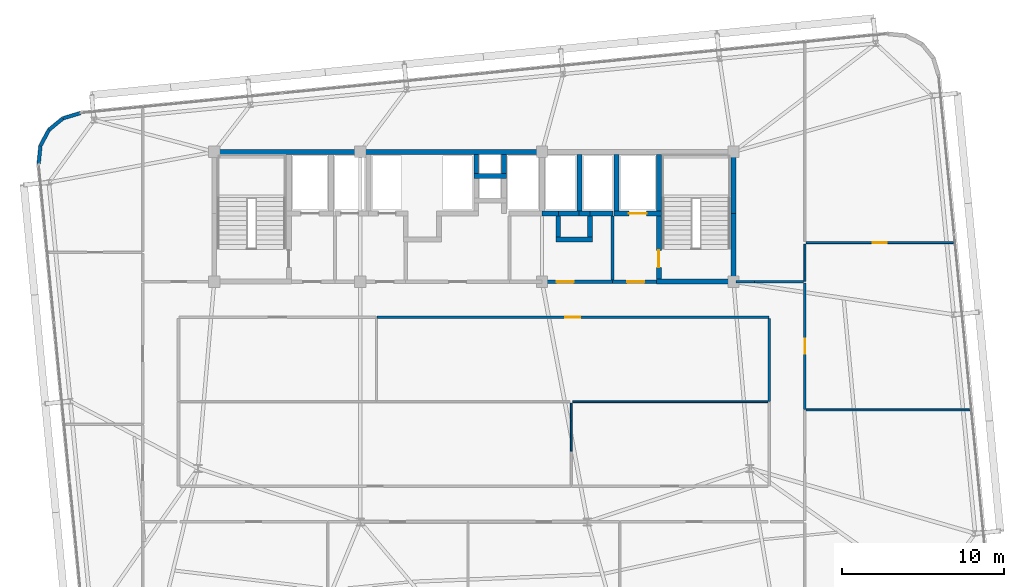
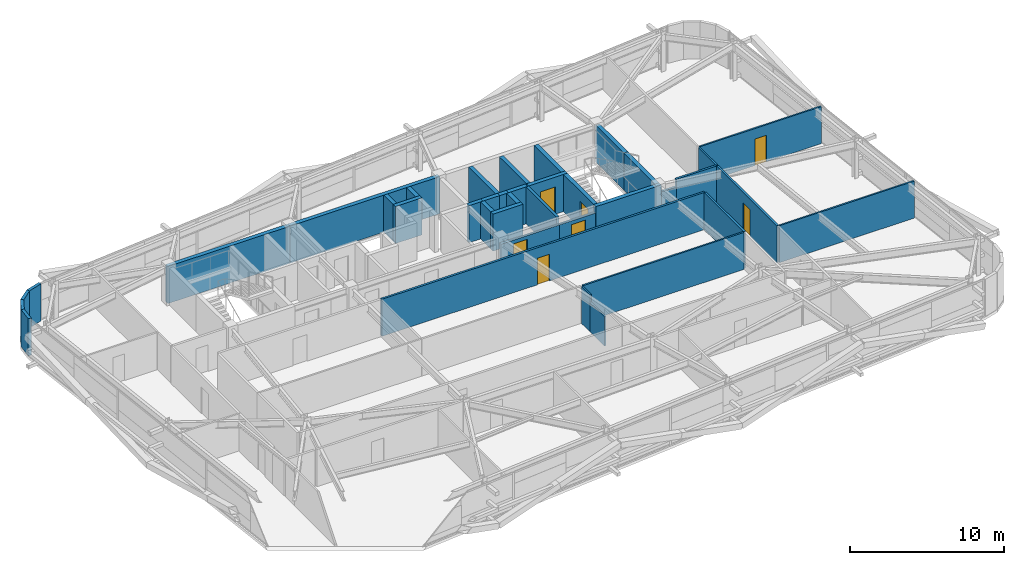
# One storey, part 43 of 47: 38 walls, 7 doors, 7 openings.
"""IFC4 building model written with IfcOpenShell, lengths in metres."""

from ifc_helpers import new_model, si_unit, direction, frame, frame_2d, origin, place, context, subcontext, project, spatial, rectangle, extrude, source, transform, mapped, material, layer, layer_set, type_object, element, fill, save


model = new_model("IFC4")

# Units and contexts
model_context = context("Model", 3, precision=1e-05, world=origin(), true_north=direction((0.0, 1.0)))
body_context = subcontext(model_context, "Body", "Model", "MODEL_VIEW")
ifc_project = project(units=[si_unit("LENGTHUNIT", "METRE"), si_unit("AREAUNIT", "SQUARE_METRE"), si_unit("VOLUMEUNIT", "CUBIC_METRE"), si_unit("PLANEANGLEUNIT", "RADIAN"), si_unit("MASSUNIT", "GRAM", prefix="KILO")], contexts=[model_context])

# Site, building, storey
site_placement = place(None, origin())
site = spatial("IfcSite", under=ifc_project, at=site_placement, CompositionType="ELEMENT")
building_placement = place(site_placement, origin())
building = spatial("IfcBuilding", under=site, at=building_placement, Name="Taldren Reach Tower", CompositionType="ELEMENT")
storey_placement = place(building_placement, frame((0.0, 0.0, 90.300048828125)))
storey = spatial("IfcBuildingStorey", under=building, at=storey_placement, Name="L27", CompositionType="ELEMENT", Elevation=90.300048828125)

# Walls
ifc_material_1 = material(Name="Pale Champagne Anodised Aluminium Cladding", Category="aluminium")
ifc_layer_1 = layer(ifc_material_1, 0.04, Name="Pale Champagne Anodised Aluminium Cladding", Category="aluminium")
ifc_material_2 = material(Name="Mineral Wool Acoustic Insulation", Category="insulation")
ifc_layer_2 = layer(ifc_material_2, 0.06, Name="Mineral Wool Acoustic Insulation", Category="insulation")
ifc_material_3 = material(Name="Steel Gr 350 (C350L0)", Category="steel")
ifc_layer_3 = layer(ifc_material_3, 0.12, Name="Steel Gr 350 (C350L0)", Category="steel")
ifc_layer_set_1 = layer_set([ifc_layer_1, ifc_layer_2, ifc_layer_3], Name="Pale Champagne Aluminium Cladding and Steel Gr 350 Stud Framing")
wall_type_1 = type_object("IfcWallType", Name="EW-CRN-220", PredefinedType="SOLIDWALL", material=ifc_layer_set_1)
shared_shape_1 = source(origin(), body_context, "Body", "SweptSolid", [
    extrude(rectangle(XDim=1.115966796875, YDim=0.219970703125, at=frame_2d((0.55810546875, 0.0))), origin(), (0.0, 0.0, 1.0), 2.929931640625),
])
wall_1_placement = place(storey_placement, frame((10.7509765625, 34.386474609375, 0.0), z_axis=(0.0, 0.0, 1.0), x_axis=(-0.957070388811, -0.289855603468, 0.0)))
element("IfcWall", 1, at=wall_1_placement, inside=storey, type_object=wall_type_1, Name="Rounded-corner pale-metal facade wall L27-NW1", PredefinedType="SOLIDWALL", context=body_context, shape_type="MappedRepresentation", body=[
    mapped(shared_shape_1, transform((0.0, 0.0, 0.0), scale=1.0)),
])
shared_shape_2 = source(origin(), body_context, "Body", "SweptSolid", [
    extrude(rectangle(XDim=1.11572265625, YDim=0.219970703125, at=frame_2d((0.557861328125, 0.0))), origin(), (0.0, 0.0, 1.0), 2.929931640625),
])
for number, where, z_axis, x_axis, name in (
    (2, (9.682861328125, 34.06298828125, 0.0), (0.0, 0.0, 1.0), (-0.773254916409, -0.634095287989, 0.0), "Rounded-corner pale-metal facade wall L27-NW2"),
    (3, (8.29345703125, 32.371337890625, 0.0), (0.0, 0.0, 1.0), (-0.098463783145, -0.99514063499, 0.0), "Rounded-corner pale-metal facade wall L27-NW4"),
):
    element("IfcWall", number, at=place(storey_placement, frame(where, z_axis=z_axis, x_axis=x_axis)), inside=storey, type_object=wall_type_1, Name=name, PredefinedType="SOLIDWALL", context=body_context, shape_type="MappedRepresentation", body=[
        mapped(shared_shape_2, transform((0.0, 0.0, 0.0), scale=1.0)),
    ])
shared_shape_3 = source(origin(), body_context, "Body", "SweptSolid", [
    extrude(rectangle(XDim=1.1162109375, YDim=0.219970703125, at=frame_2d((0.55810546875, 0.0))), origin(), (0.0, 0.0, 1.0), 2.929931640625),
])
wall_2_placement = place(storey_placement, frame((8.820068359375, 33.35546875, 0.0), z_axis=(0.0, 0.0, 1.0), x_axis=(-0.471802540493, -0.881704237704, 0.0)))
element("IfcWall", 4, at=wall_2_placement, inside=storey, type_object=wall_type_1, Name="Rounded-corner pale-metal facade wall L27-NW3", PredefinedType="SOLIDWALL", context=body_context, shape_type="MappedRepresentation", body=[
    mapped(shared_shape_3, transform((0.0, 0.0, 0.0), scale=1.0)),
])

# Wall, opening, door
ifc_material_4 = material(Name="Concrete S50 (50 MPa)", Category="concrete")
ifc_layer_4 = layer(ifc_material_4, 0.199951171875)
ifc_layer_set_2 = layer_set([ifc_layer_4], Name="Concrete S50 (50 MPa)")
wall_type_2 = type_object("IfcWallType", Name="IW-CORE-200", PredefinedType="SOLIDWALL", material=ifc_layer_set_2)
shared_shape_4 = source(origin(), body_context, "Body", "SweptSolid", [
    extrude(rectangle(XDim=4.35009765625, YDim=0.199951171875, at=frame_2d((2.175048828125, 0.0))), origin(), (0.0, 0.0, 1.0), 2.39697265625),
])
wall_3_placement = place(storey_placement, frame((43.550048828125, 24.0, 0.0), z_axis=(0.0, 0.0, 1.0), x_axis=(-1.0, 0.0, 0.0)))
wall_3 = element("IfcWall", 5, at=wall_3_placement, inside=storey, type_object=wall_type_2, Name="Rear Core Shear Wall W-INT-L27-044", PredefinedType="SOLIDWALL", context=body_context, shape_type="MappedRepresentation", body=[
    mapped(shared_shape_4, transform((0.0, 0.0, 0.0), scale=1.0)),
])
shared_shape_5 = source(origin(), body_context, "Body", "SweptSolid", [
    extrude(rectangle(XDim=1.050048828125, YDim=2.10009765625, at=frame_2d((0.52490234375, 1.050048828125))), frame((0.0, 0.10986328125, 0.0), z_axis=(0.0, -1.0, 0.0), x_axis=(1.0, 0.0, 0.0)), (0.0, 0.0, 1.0), 0.219970703125),
])
opening_1_placement = place(wall_3_placement, frame((2.39990234375, 0.0, 0.0)))
opening_1 = element("IfcOpeningElement", 6, at=opening_1_placement, cuts=wall_3, Name="Opening DF-105", PredefinedType="OPENING", context=body_context, shape_type="MappedRepresentation", body=[
    mapped(shared_shape_5, transform((0.0, 0.0, 0.0), scale=1.0)),
])
ifc_material_5 = material(Name="Fire-Rated Care and Stair Exit Door")
door_type_1 = type_object("IfcDoorType", Name="ID-FIRE-105", OperationType="NOTDEFINED", PredefinedType="DOOR", material=ifc_material_5)
shared_shape_6 = source(origin(), body_context, "Body", "SweptSolid", [
    extrude(rectangle(XDim=1.050048828125, YDim=2.10009765625, at=frame_2d((0.52490234375, 1.050048828125))), frame((0.0, 0.02490234375, 0.0), z_axis=(0.0, -1.0, 0.0), x_axis=(1.0, 0.0, 0.0)), (0.0, 0.0, 1.0), 0.050048828125),
])
door_1_placement = place(opening_1_placement, frame((1.050048828125, 0.0, 0.0), z_axis=(0.0, 0.0, 1.0), x_axis=(-1.0, 0.0, 0.0)))
door_1 = element("IfcDoor", 7, at=door_1_placement, inside=storey, type_object=door_type_1, Name="Interior Door DR-L27-007", OperationType="SINGLE_SWING_RIGHT", OverallHeight=2.10009765625, OverallWidth=1.050048828125, PredefinedType="DOOR", context=body_context, shape_type="MappedRepresentation", body=[
    mapped(shared_shape_6, transform((0.0, 0.0, 0.0), scale=1.0)),
])
fill(opening_1, door_1)

# Wall
ifc_material_6 = material(Name="Fire-Rated Acoustic Plasterboard Stud Wall", Category="gypsum")
ifc_layer_5 = layer(ifc_material_6, 0.159912109375)
ifc_layer_set_3 = layer_set([ifc_layer_5], Name="Fire-Rated Acoustic Plasterboard Stud Wall")
wall_type_3 = type_object("IfcWallType", Name="IW-FIRE-160", PredefinedType="PARTITIONING", material=ifc_layer_set_3)
shared_shape_7 = source(origin(), body_context, "Body", "SweptSolid", [
    extrude(rectangle(XDim=5.099853515625, YDim=0.159912109375, at=frame_2d((2.5498046875, 0.0))), origin(), (0.0, 0.0, 1.0), 2.929931640625),
])
wall_4_placement = place(storey_placement, frame((53.199951171875, 16.6201171875, 0.0), z_axis=(0.0, 0.0, 1.0), x_axis=(0.0, 1.0, 0.0)))
element("IfcWall", 8, at=wall_4_placement, inside=storey, type_object=wall_type_3, Name="Interior Partition Wall W-INT-L27-050", PredefinedType="PARTITIONING", context=body_context, shape_type="MappedRepresentation", body=[
    mapped(shared_shape_7, transform((0.0, 0.0, 0.0), scale=1.0)),
])

# Wall, opening, door
shared_shape_8 = source(origin(), body_context, "Body", "SweptSolid", [
    extrude(rectangle(XDim=24.159423828125, YDim=0.159912109375, at=frame_2d((12.07958984375, 0.0))), origin(), (0.0, 0.0, 1.0), 2.929931640625),
])
wall_5_placement = place(storey_placement, frame((53.1796875, 21.800048828125, 0.0), z_axis=(0.0, 0.0, 1.0), x_axis=(-1.0, 0.0, 0.0)))
wall_5 = element("IfcWall", 9, at=wall_5_placement, inside=storey, type_object=wall_type_3, Name="Interior Partition Wall W-INT-L27-049", PredefinedType="PARTITIONING", context=body_context, shape_type="MappedRepresentation", body=[
    mapped(shared_shape_8, transform((0.0, 0.0, 0.0), scale=1.0)),
])
shared_shape_9 = source(origin(), body_context, "Body", "SweptSolid", [
    extrude(rectangle(XDim=0.919921875, YDim=2.10009765625, at=frame_2d((0.4599609375, 1.050048828125))), frame((0.0, 0.08984375, 0.0), z_axis=(0.0, -1.0, 0.0), x_axis=(1.0, 0.0, 0.0)), (0.0, 0.0, 1.0), 0.179931640625),
])
opening_2_placement = place(wall_5_placement, frame((11.619873046875, 0.0, 0.0)))
opening_2 = element("IfcOpeningElement", 10, at=opening_2_placement, cuts=wall_5, Name="Opening DI-092", PredefinedType="OPENING", context=body_context, shape_type="MappedRepresentation", body=[
    mapped(shared_shape_9, transform((0.0, 0.0, 0.0), scale=1.0)),
])
ifc_material_7 = material(Name="Solid-Core Timber Suite Door", Category="wood")
door_type_2 = type_object("IfcDoorType", Name="ID-INT-092", OperationType="NOTDEFINED", PredefinedType="DOOR", material=ifc_material_7)
shared_shape_10 = source(origin(), body_context, "Body", "SweptSolid", [
    extrude(rectangle(XDim=0.919921875, YDim=2.10009765625, at=frame_2d((0.4599609375, 1.050048828125))), frame((0.0, 0.02490234375, 0.0), z_axis=(0.0, -1.0, 0.0), x_axis=(1.0, 0.0, 0.0)), (0.0, 0.0, 1.0), 0.050048828125),
])
door_2_placement = place(opening_2_placement, origin())
door_2 = element("IfcDoor", 11, at=door_2_placement, inside=storey, type_object=door_type_2, Name="Interior Door DR-L27-009", OperationType="SINGLE_SWING_RIGHT", OverallHeight=2.10009765625, OverallWidth=0.919921875, PredefinedType="DOOR", context=body_context, shape_type="MappedRepresentation", body=[
    mapped(shared_shape_10, transform((0.0, 0.0, 0.0), scale=1.0)),
])
fill(opening_2, door_2)

# Walls
ifc_material_8 = material(Name="Insulated Residential Stud Partition", Category="gypsum")
ifc_layer_6 = layer(ifc_material_8, 0.1201171875)
ifc_layer_set_4 = layer_set([ifc_layer_6], Name="Insulated Residential Stud Partition")
wall_type_4 = type_object("IfcWallType", Name="IW-PART-120", PredefinedType="PARTITIONING", material=ifc_layer_set_4)
shared_shape_11 = source(origin(), body_context, "Body", "SweptSolid", [
    extrude(rectangle(XDim=1.10400390625, YDim=0.1201171875, at=frame_2d((0.552001953125, 0.0))), origin(), (0.0, 0.0, 1.0), 2.929931640625),
])
wall_6_placement = place(storey_placement, frame((41.0, 16.52001953125, 0.0), z_axis=(0.0, 0.0, 1.0), x_axis=(0.0, -1.0, 0.0)))
element("IfcWall", 12, at=wall_6_placement, inside=storey, type_object=wall_type_4, Name="Interior Partition Wall W-INT-L27-065", PredefinedType="PARTITIONING", context=body_context, shape_type="MappedRepresentation", body=[
    mapped(shared_shape_11, transform((0.0, 0.0, 0.0), scale=1.0)),
])
shared_shape_12 = source(origin(), body_context, "Body", "SweptSolid", [
    extrude(rectangle(XDim=1.860595703125, YDim=0.1201171875, at=frame_2d((0.93017578125, 0.0))), origin(), (0.0, 0.0, 1.0), 2.327880859375),
])
wall_7_placement = place(storey_placement, frame((41.0, 15.416015625, 0.0), z_axis=(0.0, 0.0, 1.0), x_axis=(0.0, -1.0, 0.0)))
element("IfcWall", 13, at=wall_7_placement, inside=storey, type_object=wall_type_4, Name="Interior Partition Wall W-INT-L27-065 part 2", PredefinedType="PARTITIONING", context=body_context, shape_type="MappedRepresentation", body=[
    mapped(shared_shape_12, transform((0.0, 0.0, 0.0), scale=1.0)),
])
shared_shape_13 = source(origin(), body_context, "Body", "SweptSolid", [
    extrude(rectangle(XDim=12.0400390625, YDim=0.1201171875, at=frame_2d((6.02001953125, 0.0))), origin(), (0.0, 0.0, 1.0), 2.929931640625),
])
wall_8_placement = place(storey_placement, frame((41.080078125, 16.60009765625, 0.0), z_axis=(0.0, 0.0, 1.0), x_axis=(1.0, 0.0, 0.0)))
element("IfcWall", 14, at=wall_8_placement, inside=storey, type_object=wall_type_4, Name="Interior Partition Wall W-INT-L27-068", PredefinedType="PARTITIONING", context=body_context, shape_type="MappedRepresentation", body=[
    mapped(shared_shape_13, transform((0.0, 0.0, 0.0), scale=1.0)),
])
ifc_material_9 = material(Name="Concrete S65 (65 MPa)", Category="concrete")
ifc_layer_7 = layer(ifc_material_9, 0.300048828125)
ifc_layer_set_5 = layer_set([ifc_layer_7], Name="Concrete S65 (65 MPa)")
wall_type_5 = type_object("IfcWallType", Name="IW-CORE-300", PredefinedType="SHEAR", material=ifc_layer_set_5)
shared_shape_14 = source(origin(), body_context, "Body", "SweptSolid", [
    extrude(rectangle(XDim=9.14990234375, YDim=0.300048828125, at=frame_2d((4.574951171875, 0.0))), origin(), (0.0, 0.0, 1.0), 2.929931640625),
])
wall_9_placement = place(storey_placement, frame((18.85009765625, 32.0, 0.0), z_axis=(0.0, 0.0, 1.0), x_axis=(1.0, 0.0, 0.0)))
element("IfcWall", 15, at=wall_9_placement, inside=storey, type_object=wall_type_5, Name="Rear Core Shear Wall W-CORE-L27-NORTH1", PredefinedType="SHEAR", context=body_context, shape_type="MappedRepresentation", body=[
    mapped(shared_shape_14, transform((0.0, 0.0, 0.0), scale=1.0)),
])
shared_shape_15 = source(origin(), body_context, "Body", "SweptSolid", [
    extrude(rectangle(XDim=11.199951171875, YDim=0.300048828125, at=frame_2d((5.60009765625, 0.0))), origin(), (0.0, 0.0, 1.0), 2.929931640625),
])
wall_10_placement = place(storey_placement, frame((28.0, 32.0, 0.0), z_axis=(0.0, 0.0, 1.0), x_axis=(1.0, 0.0, 0.0)))
element("IfcWall", 16, at=wall_10_placement, inside=storey, type_object=wall_type_5, Name="Rear Core Shear Wall W-CORE-L27-NORTH2", PredefinedType="SHEAR", context=body_context, shape_type="MappedRepresentation", body=[
    mapped(shared_shape_15, transform((0.0, 0.0, 0.0), scale=1.0)),
])
shared_shape_16 = source(origin(), body_context, "Body", "SweptSolid", [
    extrude(rectangle(XDim=4.050048828125, YDim=0.300048828125, at=frame_2d((2.02490234375, 0.0))), origin(), (0.0, 0.0, 1.0), 2.929931640625),
])
wall_11_placement = place(storey_placement, frame((51.0, 24.14990234375, 0.0), z_axis=(0.0, 0.0, 1.0), x_axis=(0.0, 1.0, 0.0)))
element("IfcWall", 17, at=wall_11_placement, inside=storey, type_object=wall_type_5, Name="Rear Core Shear Wall W-CORE-L27-EAST1", PredefinedType="SHEAR", context=body_context, shape_type="MappedRepresentation", body=[
    mapped(shared_shape_16, transform((0.0, 0.0, 0.0), scale=1.0)),
])
shared_shape_17 = source(origin(), body_context, "Body", "SweptSolid", [
    extrude(rectangle(XDim=3.650146484375, YDim=0.300048828125, at=frame_2d((1.8251953125, 0.0))), origin(), (0.0, 0.0, 1.0), 2.929931640625),
])
wall_12_placement = place(storey_placement, frame((51.0, 28.199951171875, 0.0), z_axis=(0.0, 0.0, 1.0), x_axis=(0.0, 1.0, 0.0)))
element("IfcWall", 18, at=wall_12_placement, inside=storey, type_object=wall_type_5, Name="Rear Core Shear Wall W-CORE-L27-EAST2", PredefinedType="SHEAR", context=body_context, shape_type="MappedRepresentation", body=[
    mapped(shared_shape_17, transform((0.0, 0.0, 0.0), scale=1.0)),
])
shared_shape_18 = source(origin(), body_context, "Body", "SweptSolid", [
    extrude(rectangle(XDim=3.5, YDim=0.300048828125, at=frame_2d((1.75, 0.0))), origin(), (0.0, 0.0, 1.0), 2.929931640625),
])
for number, where, z_axis, x_axis, name in (
    (19, (46.39990234375, 31.85009765625, 0.0), (0.0, 0.0, 1.0), (0.0, -1.0, 0.0), "Rear Core Shear Wall W-INT-L27-008"),
    (20, (43.800048828125, 31.85009765625, 0.0), (0.0, 0.0, 1.0), (0.0, -1.0, 0.0), "Rear Core Shear Wall W-INT-L27-012"),
    (21, (41.5, 28.35009765625, 0.0), (0.0, 0.0, 1.0), (0.0, 1.0, 0.0), "Rear Core Shear Wall W-INT-L27-039"),
):
    element("IfcWall", number, at=place(storey_placement, frame(where, z_axis=z_axis, x_axis=x_axis)), inside=storey, type_object=wall_type_5, Name=name, PredefinedType="SHEAR", context=body_context, shape_type="MappedRepresentation", body=[
        mapped(shared_shape_18, transform((0.0, 0.0, 0.0), scale=1.0)),
    ])

# Wall, opening, door
shared_shape_19 = source(origin(), body_context, "Body", "SweptSolid", [
    extrude(rectangle(XDim=3.900146484375, YDim=0.300048828125, at=frame_2d((1.9501953125, 0.0))), origin(), (0.0, 0.0, 1.0), 2.929931640625),
])
wall_13_placement = place(storey_placement, frame((46.39990234375, 28.050048828125, 0.0), z_axis=(0.0, 0.0, 1.0), x_axis=(0.0, -1.0, 0.0)))
wall_13 = element("IfcWall", 22, at=wall_13_placement, inside=storey, type_object=wall_type_5, Name="Rear Core Shear Wall W-INT-L27-009", PredefinedType="SHEAR", context=body_context, shape_type="MappedRepresentation", body=[
    mapped(shared_shape_19, transform((0.0, 0.0, 0.0), scale=1.0)),
])
shared_shape_20 = source(origin(), body_context, "Body", "SweptSolid", [
    extrude(rectangle(XDim=1.050048828125, YDim=2.10009765625, at=frame_2d((0.52490234375, 1.050048828125))), frame((0.0, 0.16015625, 0.0), z_axis=(0.0, -1.0, 0.0), x_axis=(1.0, 0.0, 0.0)), (0.0, 0.0, 1.0), 0.320068359375),
])
opening_3_placement = place(wall_13_placement, frame((2.125, 0.0, 0.0)))
opening_3 = element("IfcOpeningElement", 23, at=opening_3_placement, cuts=wall_13, Name="Opening DF-105", PredefinedType="OPENING", context=body_context, shape_type="MappedRepresentation", body=[
    mapped(shared_shape_20, transform((0.0, 0.0, 0.0), scale=1.0)),
])
door_3_placement = place(opening_3_placement, origin())
door_3 = element("IfcDoor", 24, at=door_3_placement, inside=storey, type_object=door_type_1, Name="Fire Exit Stair Door DR-L27-003", OperationType="SINGLE_SWING_RIGHT", OverallHeight=2.10009765625, OverallWidth=1.050048828125, PredefinedType="DOOR", context=body_context, shape_type="MappedRepresentation", body=[
    mapped(shared_shape_6, transform((0.0, 0.0, 0.0), scale=1.0)),
])
fill(opening_3, door_3)

# Wall
shared_shape_21 = source(origin(), body_context, "Body", "SweptSolid", [
    extrude(rectangle(XDim=4.89990234375, YDim=0.300048828125, at=frame_2d((2.449951171875, 0.0))), origin(), (0.0, 0.0, 1.0), 2.929931640625),
])
wall_14_placement = place(storey_placement, frame((46.25, 24.0, 0.0), z_axis=(0.0, 0.0, 1.0), x_axis=(1.0, 0.0, 0.0)))
element("IfcWall", 25, at=wall_14_placement, inside=storey, type_object=wall_type_5, Name="Rear Core Shear Wall W-INT-L27-010", PredefinedType="SHEAR", context=body_context, shape_type="MappedRepresentation", body=[
    mapped(shared_shape_21, transform((0.0, 0.0, 0.0), scale=1.0)),
])

# Wall, opening, door
shared_shape_22 = source(origin(), body_context, "Body", "SweptSolid", [
    extrude(rectangle(XDim=2.900146484375, YDim=0.300048828125, at=frame_2d((1.4501953125, 0.0))), origin(), (0.0, 0.0, 1.0), 2.929931640625),
])
wall_15_placement = place(storey_placement, frame((43.64990234375, 28.199951171875, 0.0), z_axis=(0.0, 0.0, 1.0), x_axis=(1.0, 0.0, 0.0)))
wall_15 = element("IfcWall", 26, at=wall_15_placement, inside=storey, type_object=wall_type_5, Name="Rear Core Shear Wall W-INT-L27-011", PredefinedType="SHEAR", context=body_context, shape_type="MappedRepresentation", body=[
    mapped(shared_shape_22, transform((0.0, 0.0, 0.0), scale=1.0)),
])
shared_shape_23 = source(origin(), body_context, "Body", "SweptSolid", [
    extrude(rectangle(XDim=1.10009765625, YDim=2.14990234375, at=frame_2d((0.550048828125, 1.074951171875))), frame((0.0, 0.16015625, 0.0), z_axis=(0.0, -1.0, 0.0), x_axis=(1.0, 0.0, 0.0)), (0.0, 0.0, 1.0), 0.320068359375),
])
opening_4_placement = place(wall_15_placement, frame((0.89990234375, 0.0, 0.0)))
opening_4 = element("IfcOpeningElement", 27, at=opening_4_placement, cuts=wall_15, Name="Opening LD-FL2", PredefinedType="OPENING", context=body_context, shape_type="MappedRepresentation", body=[
    mapped(shared_shape_23, transform((0.0, 0.0, 0.0), scale=1.0)),
])
ifc_material_10 = material(Name="Stainless Steel Gr 316 Emergency Lift Landing Door", Category="steel")
door_type_3 = type_object("IfcDoorType", Name="LD-EMG-110", OperationType="SLIDING_TO_LEFT", PredefinedType="DOOR", material=ifc_material_10)
shared_shape_24 = source(origin(), body_context, "Body", "SweptSolid", [
    extrude(rectangle(XDim=1.10009765625, YDim=2.14990234375, at=frame_2d((0.550048828125, 1.074951171875))), frame((0.0, 0.02490234375, 0.0), z_axis=(0.0, -1.0, 0.0), x_axis=(1.0, 0.0, 0.0)), (0.0, 0.0, 1.0), 0.050048828125),
])
door_4_placement = place(opening_4_placement, origin())
door_4 = element("IfcDoor", 28, at=door_4_placement, inside=storey, type_object=door_type_3, Name="Lift Landing Door LD-FL2-L27", OperationType="SLIDING_TO_LEFT", OverallHeight=2.14990234375, OverallWidth=1.10009765625, PredefinedType="DOOR", context=body_context, shape_type="MappedRepresentation", body=[
    mapped(shared_shape_24, transform((0.0, 0.0, 0.0), scale=1.0)),
])
fill(opening_4, door_4)

# Wall
shared_shape_25 = source(origin(), body_context, "Body", "SweptSolid", [
    extrude(rectangle(XDim=3.949951171875, YDim=0.199951171875, at=frame_2d((1.97509765625, 0.0))), origin(), (0.0, 0.0, 1.0), 2.929931640625),
])
wall_16_placement = place(storey_placement, frame((43.550048828125, 28.050048828125, 0.0), z_axis=(0.0, 0.0, 1.0), x_axis=(0.0, -1.0, 0.0)))
element("IfcWall", 29, at=wall_16_placement, inside=storey, type_object=wall_type_2, Name="Rear Core Shear Wall W-INT-L27-013", PredefinedType="SOLIDWALL", context=body_context, shape_type="MappedRepresentation", body=[
    mapped(shared_shape_25, transform((0.0, 0.0, 0.0), scale=1.0)),
])

# Wall, opening, door
shared_shape_26 = source(origin(), body_context, "Body", "SweptSolid", [
    extrude(rectangle(XDim=2.699951171875, YDim=0.199951171875, at=frame_2d((1.35009765625, 0.0))), origin(), (0.0, 0.0, 1.0), 2.39697265625),
])
wall_17_placement = place(storey_placement, frame((43.550048828125, 24.0, 0.0), z_axis=(0.0, 0.0, 1.0), x_axis=(1.0, 0.0, 0.0)))
wall_17 = element("IfcWall", 30, at=wall_17_placement, inside=storey, type_object=wall_type_2, Name="Rear Core Shear Wall W-INT-L27-014", PredefinedType="SOLIDWALL", context=body_context, shape_type="MappedRepresentation", body=[
    mapped(shared_shape_26, transform((0.0, 0.0, 0.0), scale=1.0)),
])
opening_5_placement = place(wall_17_placement, frame((0.89990234375, 0.0, 0.0)))
opening_5 = element("IfcOpeningElement", 31, at=opening_5_placement, cuts=wall_17, Name="Opening DF-105", PredefinedType="OPENING", context=body_context, shape_type="MappedRepresentation", body=[
    mapped(shared_shape_5, transform((0.0, 0.0, 0.0), scale=1.0)),
])
door_5_placement = place(opening_5_placement, origin())
door_5 = element("IfcDoor", 32, at=door_5_placement, inside=storey, type_object=door_type_1, Name="Interior Door DR-L27-004", OperationType="SINGLE_SWING_LEFT", OverallHeight=2.10009765625, OverallWidth=1.050048828125, PredefinedType="DOOR", context=body_context, shape_type="MappedRepresentation", body=[
    mapped(shared_shape_6, transform((0.0, 0.0, 0.0), scale=1.0)),
])
fill(opening_5, door_5)

# Walls
shared_shape_27 = source(origin(), body_context, "Body", "SweptSolid", [
    extrude(rectangle(XDim=2.0, YDim=0.300048828125, at=frame_2d((1.0, 0.0))), origin(), (0.0, 0.0, 1.0), 2.929931640625),
])
wall_18_placement = place(storey_placement, frame((35.0, 30.5, 0.0), z_axis=(0.0, 0.0, 1.0), x_axis=(1.0, 0.0, 0.0)))
element("IfcWall", 33, at=wall_18_placement, inside=storey, type_object=wall_type_5, Name="Rear Core Shear Wall W-INT-L27-015", PredefinedType="SHEAR", context=body_context, shape_type="MappedRepresentation", body=[
    mapped(shared_shape_27, transform((0.0, 0.0, 0.0), scale=1.0)),
])
shared_shape_28 = source(origin(), body_context, "Body", "SweptSolid", [
    extrude(rectangle(XDim=1.2001953125, YDim=0.300048828125, at=frame_2d((0.60009765625, 0.0))), origin(), (0.0, 0.0, 1.0), 2.929931640625),
])
for number, where, z_axis, x_axis, name in (
    (34, (35.14990234375, 31.85009765625, 0.0), (0.0, 0.0, 1.0), (0.0, -1.0, 0.0), "Rear Core Shear Wall W-INT-L27-016"),
    (35, (36.85009765625, 30.64990234375, 0.0), (0.0, 0.0, 1.0), (0.0, 1.0, 0.0), "Rear Core Shear Wall W-INT-L27-017"),
):
    element("IfcWall", number, at=place(storey_placement, frame(where, z_axis=z_axis, x_axis=x_axis)), inside=storey, type_object=wall_type_5, Name=name, PredefinedType="SHEAR", context=body_context, shape_type="MappedRepresentation", body=[
        mapped(shared_shape_28, transform((0.0, 0.0, 0.0), scale=1.0)),
    ])
shared_shape_29 = source(origin(), body_context, "Body", "SweptSolid", [
    extrude(rectangle(XDim=1.300048828125, YDim=0.300048828125, at=frame_2d((0.64990234375, 0.0))), origin(), (0.0, 0.0, 1.0), 2.929931640625),
])
for number, where, z_axis, x_axis, name in (
    (36, (40.199951171875, 28.050048828125, 0.0), (0.0, 0.0, 1.0), (0.0, -1.0, 0.0), "Rear Core Shear Wall W-INT-L27-027"),
    (37, (42.14990234375, 26.75, 0.0), (0.0, 0.0, 1.0), (0.0, 1.0, 0.0), "Rear Core Shear Wall W-INT-L27-028"),
):
    element("IfcWall", number, at=place(storey_placement, frame(where, z_axis=z_axis, x_axis=x_axis)), inside=storey, type_object=wall_type_5, Name=name, PredefinedType="SHEAR", context=body_context, shape_type="MappedRepresentation", body=[
        mapped(shared_shape_29, transform((0.0, 0.0, 0.0), scale=1.0)),
    ])
shared_shape_30 = source(origin(), body_context, "Body", "SweptSolid", [
    extrude(rectangle(XDim=1.320068359375, YDim=0.300048828125, at=frame_2d((0.66015625, 0.0))), origin(), (0.0, 0.0, 1.0), 2.929931640625),
])
wall_19_placement = place(storey_placement, frame((41.52001953125, 28.199951171875, 0.0), z_axis=(0.0, 0.0, 1.0), x_axis=(-1.0, 0.0, 0.0)))
element("IfcWall", 38, at=wall_19_placement, inside=storey, type_object=wall_type_5, Name="Rear Core Shear Wall W-INT-L27-024", PredefinedType="SHEAR", context=body_context, shape_type="MappedRepresentation", body=[
    mapped(shared_shape_30, transform((0.0, 0.0, 0.0), scale=1.0)),
])
shared_shape_31 = source(origin(), body_context, "Body", "SweptSolid", [
    extrude(rectangle(XDim=0.669921875, YDim=0.300048828125, at=frame_2d((0.3349609375, 0.0))), origin(), (0.0, 0.0, 1.0), 2.929931640625),
])
wall_20_placement = place(storey_placement, frame((42.14990234375, 28.199951171875, 0.0), z_axis=(0.0, 0.0, 1.0), x_axis=(-1.0, 0.0, 0.0)))
element("IfcWall", 39, at=wall_20_placement, inside=storey, type_object=wall_type_5, Name="Rear Core Shear Wall W-INT-L27-025", PredefinedType="SHEAR", context=body_context, shape_type="MappedRepresentation", body=[
    mapped(shared_shape_31, transform((0.0, 0.0, 0.0), scale=1.0)),
])
shared_shape_32 = source(origin(), body_context, "Body", "SweptSolid", [
    extrude(rectangle(XDim=1.02001953125, YDim=0.300048828125, at=frame_2d((0.510009765625, 0.0))), origin(), (0.0, 0.0, 1.0), 2.929931640625),
])
wall_21_placement = place(storey_placement, frame((39.199951171875, 28.199951171875, 0.0), z_axis=(0.0, 0.0, 1.0), x_axis=(1.0, 0.0, 0.0)))
element("IfcWall", 40, at=wall_21_placement, inside=storey, type_object=wall_type_5, Name="Rear Core Shear Wall W-INT-L27-040", PredefinedType="SHEAR", context=body_context, shape_type="MappedRepresentation", body=[
    mapped(shared_shape_32, transform((0.0, 0.0, 0.0), scale=1.0)),
])
shared_shape_33 = source(origin(), body_context, "Body", "SweptSolid", [
    extrude(rectangle(XDim=1.440185546875, YDim=0.300048828125, at=frame_2d((0.72021484375, 0.0))), origin(), (0.0, 0.0, 1.0), 2.929931640625),
])
wall_22_placement = place(storey_placement, frame((42.1298828125, 28.199951171875, 0.0), z_axis=(0.0, 0.0, 1.0), x_axis=(1.0, 0.0, 0.0)))
element("IfcWall", 41, at=wall_22_placement, inside=storey, type_object=wall_type_5, Name="Rear Core Shear Wall W-INT-L27-041", PredefinedType="SHEAR", context=body_context, shape_type="MappedRepresentation", body=[
    mapped(shared_shape_33, transform((0.0, 0.0, 0.0), scale=1.0)),
])
shared_shape_34 = source(origin(), body_context, "Body", "SweptSolid", [
    extrude(rectangle(XDim=1.154541015625, YDim=0.159912109375, at=frame_2d((0.5771484375, 0.0))), origin(), (0.0, 0.0, 1.0), 2.327880859375),
])
wall_23_placement = place(storey_placement, frame((51.14990234375, 24.0, 0.0), z_axis=(0.0, 0.0, 1.0), x_axis=(1.0, 0.0, 0.0)))
element("IfcWall", 42, at=wall_23_placement, inside=storey, type_object=wall_type_3, Name="Interior Partition Wall W-INT-L27-058", PredefinedType="PARTITIONING", context=body_context, shape_type="MappedRepresentation", body=[
    mapped(shared_shape_34, transform((0.0, 0.0, 0.0), scale=1.0)),
])
shared_shape_35 = source(origin(), body_context, "Body", "SweptSolid", [
    extrude(rectangle(XDim=3.015625, YDim=0.159912109375, at=frame_2d((1.5078125, 0.0))), origin(), (0.0, 0.0, 1.0), 2.929931640625),
])
wall_24_placement = place(storey_placement, frame((52.304443359375, 24.0, 0.0), z_axis=(0.0, 0.0, 1.0), x_axis=(1.0, 0.0, 0.0)))
element("IfcWall", 43, at=wall_24_placement, inside=storey, type_object=wall_type_3, Name="Interior Partition Wall W-INT-L27-058 part 2", PredefinedType="PARTITIONING", context=body_context, shape_type="MappedRepresentation", body=[
    mapped(shared_shape_35, transform((0.0, 0.0, 0.0), scale=1.0)),
])
shared_shape_36 = source(origin(), body_context, "Body", "SweptSolid", [
    extrude(rectangle(XDim=2.25, YDim=0.300048828125, at=frame_2d((1.125, 0.0))), origin(), (0.0, 0.0, 1.0), 2.929931640625),
])
wall_25_placement = place(storey_placement, frame((40.050048828125, 26.60009765625, 0.0), z_axis=(0.0, 0.0, 1.0), x_axis=(1.0, 0.0, 0.0)))
element("IfcWall", 44, at=wall_25_placement, inside=storey, type_object=wall_type_5, Name="Rear Core Shear Wall W-INT-L27-026", PredefinedType="SHEAR", context=body_context, shape_type="MappedRepresentation", body=[
    mapped(shared_shape_36, transform((0.0, 0.0, 0.0), scale=1.0)),
])

# Wall, opening, door
shared_shape_37 = source(origin(), body_context, "Body", "SweptSolid", [
    extrude(rectangle(XDim=7.7998046875, YDim=0.159912109375, at=frame_2d((3.89990234375, 0.0))), origin(), (0.0, 0.0, 1.0), 2.929931640625),
])
wall_26_placement = place(storey_placement, frame((55.39990234375, 23.919921875, 0.0), z_axis=(0.0, 0.0, 1.0), x_axis=(0.0, -1.0, 0.0)))
wall_26 = element("IfcWall", 45, at=wall_26_placement, inside=storey, type_object=wall_type_3, Name="Interior Partition Wall W-INT-L27-056", PredefinedType="PARTITIONING", context=body_context, shape_type="MappedRepresentation", body=[
    mapped(shared_shape_37, transform((0.0, 0.0, 0.0), scale=1.0)),
])
opening_6_placement = place(wall_26_placement, frame((3.43994140625, 0.0, 0.0)))
opening_6 = element("IfcOpeningElement", 46, at=opening_6_placement, cuts=wall_26, Name="Opening DI-092", PredefinedType="OPENING", context=body_context, shape_type="MappedRepresentation", body=[
    mapped(shared_shape_9, transform((0.0, 0.0, 0.0), scale=1.0)),
])
door_6_placement = place(opening_6_placement, origin())
door_6 = element("IfcDoor", 47, at=door_6_placement, inside=storey, type_object=door_type_2, Name="Interior Door DR-L27-013", OperationType="SINGLE_SWING_RIGHT", OverallHeight=2.10009765625, OverallWidth=0.919921875, PredefinedType="DOOR", context=body_context, shape_type="MappedRepresentation", body=[
    mapped(shared_shape_10, transform((0.0, 0.0, 0.0), scale=1.0)),
])
fill(opening_6, door_6)

# Wall
shared_shape_38 = source(origin(), body_context, "Body", "SweptSolid", [
    extrude(rectangle(XDim=10.0947265625, YDim=0.1201171875, at=frame_2d((5.04736328125, 0.0))), origin(), (0.0, 0.0, 1.0), 2.929931640625),
])
wall_27_placement = place(storey_placement, frame((55.47998046875, 16.10009765625, 0.0), z_axis=(0.0, 0.0, 1.0), x_axis=(1.0, 0.0, 0.0)))
element("IfcWall", 48, at=wall_27_placement, inside=storey, type_object=wall_type_4, Name="Interior Partition Wall W-INT-L27-079", PredefinedType="PARTITIONING", context=body_context, shape_type="MappedRepresentation", body=[
    mapped(shared_shape_38, transform((0.0, 0.0, 0.0), scale=1.0)),
])

# Wall, opening, door
shared_shape_39 = source(origin(), body_context, "Body", "SweptSolid", [
    extrude(rectangle(XDim=9.0849609375, YDim=0.1201171875, at=frame_2d((4.54248046875, 0.0))), origin(), (0.0, 0.0, 1.0), 2.929931640625),
])
wall_28_placement = place(storey_placement, frame((55.47998046875, 26.39990234375, 0.0), z_axis=(0.0, 0.0, 1.0), x_axis=(1.0, 0.0, 0.0)))
wall_28 = element("IfcWall", 49, at=wall_28_placement, inside=storey, type_object=wall_type_4, Name="Interior Partition Wall W-INT-L27-080", PredefinedType="PARTITIONING", context=body_context, shape_type="MappedRepresentation", body=[
    mapped(shared_shape_39, transform((0.0, 0.0, 0.0), scale=1.0)),
])
shared_shape_40 = source(origin(), body_context, "Body", "SweptSolid", [
    extrude(rectangle(XDim=0.860107421875, YDim=2.10009765625, at=frame_2d((0.43017578125, 1.050048828125))), frame((0.0, 0.070068359375, 0.0), z_axis=(0.0, -1.0, 0.0), x_axis=(1.0, 0.0, 0.0)), (0.0, 0.0, 1.0), 0.14013671875),
])
opening_7_placement = place(wall_28_placement, frame((4.1123046875, 0.0, 0.0)))
opening_7 = element("IfcOpeningElement", 50, at=opening_7_placement, cuts=wall_28, Name="Opening DI-086", PredefinedType="OPENING", context=body_context, shape_type="MappedRepresentation", body=[
    mapped(shared_shape_40, transform((0.0, 0.0, 0.0), scale=1.0)),
])
ifc_material_11 = material(Name="Timber Bathroom Door", Category="wood")
door_type_4 = type_object("IfcDoorType", Name="ID-INT-086", OperationType="NOTDEFINED", PredefinedType="DOOR", material=ifc_material_11)
shared_shape_41 = source(origin(), body_context, "Body", "SweptSolid", [
    extrude(rectangle(XDim=0.860107421875, YDim=2.10009765625, at=frame_2d((0.43017578125, 1.050048828125))), frame((0.0, 0.02490234375, 0.0), z_axis=(0.0, -1.0, 0.0), x_axis=(1.0, 0.0, 0.0)), (0.0, 0.0, 1.0), 0.050048828125),
])
door_7_placement = place(opening_7_placement, frame((0.860107421875, 0.0, 0.0), z_axis=(0.0, 0.0, 1.0), x_axis=(-1.0, 0.0, 0.0)))
door_7 = element("IfcDoor", 51, at=door_7_placement, inside=storey, type_object=door_type_4, Name="Interior Door DR-L27-022", OperationType="SINGLE_SWING_RIGHT", OverallHeight=2.10009765625, OverallWidth=0.860107421875, PredefinedType="DOOR", context=body_context, shape_type="MappedRepresentation", body=[
    mapped(shared_shape_41, transform((0.0, 0.0, 0.0), scale=1.0)),
])
fill(opening_7, door_7)

# Wall
shared_shape_42 = source(origin(), body_context, "Body", "SweptSolid", [
    extrude(rectangle(XDim=2.2998046875, YDim=0.1201171875, at=frame_2d((1.14990234375, 0.0))), origin(), (0.0, 0.0, 1.0), 2.929931640625),
])
wall_29_placement = place(storey_placement, frame((55.39990234375, 24.020263671875, 0.0), z_axis=(0.0, 0.0, 1.0), x_axis=(0.0, 1.0, 0.0)))
element("IfcWall", 52, at=wall_29_placement, inside=storey, type_object=wall_type_4, Name="Interior Partition Wall W-INT-L27-081", PredefinedType="PARTITIONING", context=body_context, shape_type="MappedRepresentation", body=[
    mapped(shared_shape_42, transform((0.0, 0.0, 0.0), scale=1.0)),
])

save(model, "model.ifc")
